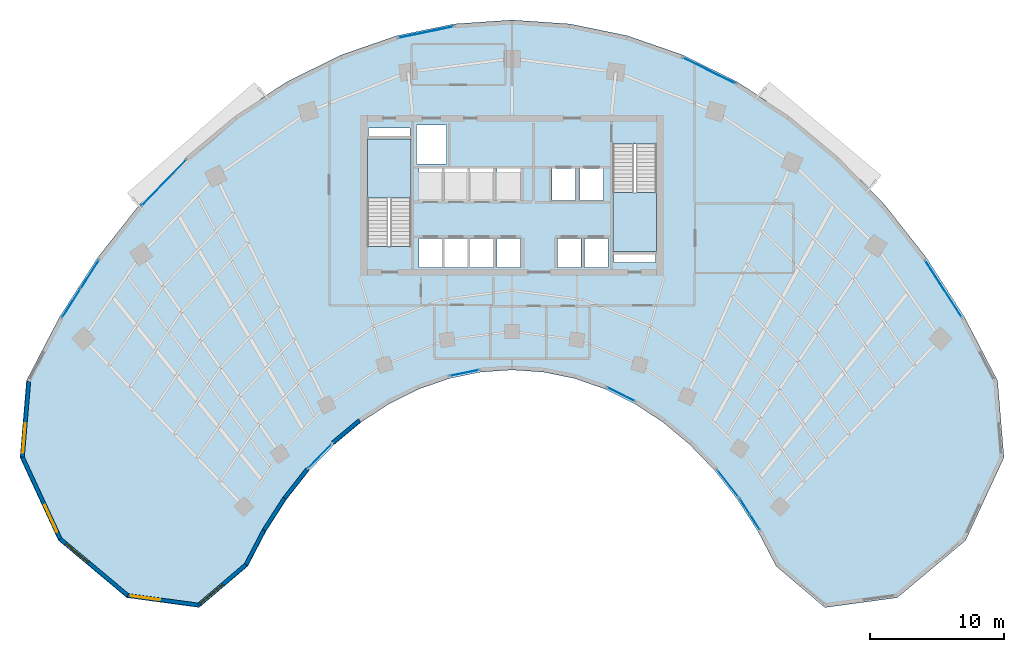
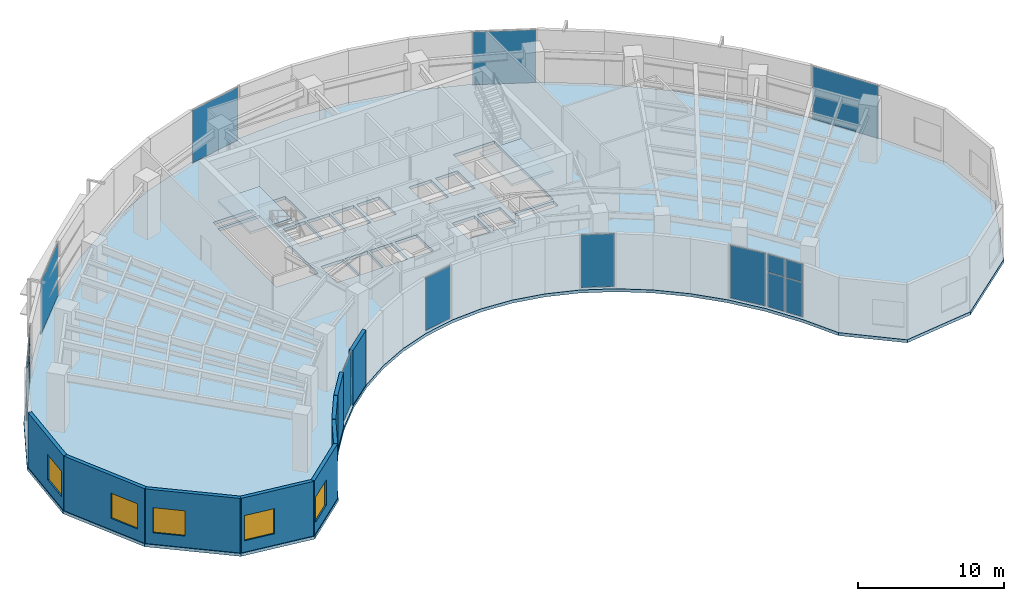
# One storey, part 7 of 15: 16 plates, 9 walls, 5 windows, 3 slabs, 5 openings, 12 elements without a shape of their own.
"""IFC4 building model written with IfcOpenShell, lengths in metres."""

from ifc_helpers import new_model, si_unit, direction, frame, frame_2d, origin, origin_2d, place, context, subcontext, project, spatial, polyline, rectangle, outline, extrude, source, transform, mapped, material, layer, layer_set, type_object, type_shapes, element, fill, aggregate, save


model = new_model("IFC4")

# Units and contexts
model_context = context("Model", 3, precision=1e-05, world=origin(), true_north=direction((0.0, 1.0)))
body_context = subcontext(model_context, "Body", "Model", "MODEL_VIEW")
ifc_project = project(units=[si_unit("LENGTHUNIT", "METRE"), si_unit("AREAUNIT", "SQUARE_METRE"), si_unit("VOLUMEUNIT", "CUBIC_METRE"), si_unit("PLANEANGLEUNIT", "RADIAN"), si_unit("MASSUNIT", "GRAM", prefix="KILO")], contexts=[model_context])

# Site, building, storey
site_placement = place(None, origin())
site = spatial("IfcSite", under=ifc_project, at=site_placement, CompositionType="ELEMENT")
building_placement = place(site_placement, origin())
building = spatial("IfcBuilding", under=site, at=building_placement, Name="Breltana Convention Tower", CompositionType="ELEMENT")
storey_placement = place(building_placement, frame((0.0, 0.0, 91.199951171875)))
storey = spatial("IfcBuildingStorey", under=building, at=storey_placement, Name="L21", CompositionType="ELEMENT", Elevation=91.199951171875)

# Slab
ifc_material_1 = material(Name="Concrete C40/50", Category="concrete")
ifc_layer_1 = layer(ifc_material_1, 0.25, Name="Concrete C40/50")
ifc_layer_set_1 = layer_set([ifc_layer_1], Name="Concrete C40/50")
slab_type_1 = type_object("IfcSlabType", Name="SL-OFF-250", PredefinedType="FLOOR", material=ifc_layer_set_1)
slab_1_placement = place(storey_placement, frame((0.0, 0.0, -0.25)))
element("IfcSlab", 1, at=slab_1_placement, inside=storey, type_object=slab_type_1, Name="L21 Suspended Structural Floor Slab", PredefinedType="FLOOR", context=body_context, shape_type="SweptSolid", body=[
    extrude(outline(polyline([(84.254150390625, 52.3564453125), (81.779052734375, 57.1103515625), (78.958251953125, 61.5048828125), (75.820556640625, 65.494873046875), (72.39794921875, 69.03955078125), (68.7255859375, 72.1025390625), (64.841064453125, 74.652587890625), (60.783935546875, 76.663818359375), (56.59619140625, 78.114990234375), (52.3203125, 78.99169921875), (48.0, 79.284912109375), (43.6796875, 78.99169921875), (39.40380859375, 78.114990234375), (35.216064453125, 76.663818359375), (31.158935546875, 74.652587890625), (27.2744140625, 72.1025390625), (23.60205078125, 69.03955078125), (20.179443359375, 65.494873046875), (17.041748046875, 61.5048828125), (14.220947265625, 57.1103515625), (11.745849609375, 52.3564453125), (11.266357421875, 46.619384765625), (14.128173828125, 40.42919921875), (19.23828125, 36.150146484375), (24.64501953125, 35.4169921875), (28.282958984375, 38.509521484375), (29.62890625, 41.09521484375), (31.1630859375, 43.485107421875), (32.869384765625, 45.655029296875), (34.73095703125, 47.5830078125), (36.728271484375, 49.248779296875), (38.8408203125, 50.6357421875), (41.04736328125, 51.7294921875), (43.324951171875, 52.518798828125), (45.650390625, 52.99560546875), (48.0, 53.155029296875), (50.349609375, 52.99560546875), (52.675048828125, 52.518798828125), (54.95263671875, 51.7294921875), (57.1591796875, 50.6357421875), (59.271728515625, 49.248779296875), (61.26904296875, 47.5830078125), (63.130615234375, 45.655029296875), (64.8369140625, 43.485107421875), (66.37109375, 41.09521484375), (67.717041015625, 38.509521484375), (71.35498046875, 35.4169921875), (76.76171875, 36.150146484375), (81.871826171875, 40.42919921875), (84.733642578125, 46.619384765625), (84.254150390625, 52.3564453125)]), holes=[polyline([(37.199951171875, 62.385009765625), (40.469970703125, 62.385009765625), (40.469970703125, 70.39990234375), (37.199951171875, 70.39990234375), (37.199951171875, 62.385009765625)]), polyline([(55.530029296875, 62.0), (58.800048828125, 62.0), (58.800048828125, 70.014892578125), (55.530029296875, 70.014892578125), (55.530029296875, 62.0)]), polyline([(41.0400390625, 60.800048828125), (42.800048828125, 60.800048828125), (42.800048828125, 62.97998046875), (41.0400390625, 62.97998046875), (41.0400390625, 60.800048828125)]), polyline([(42.93994140625, 60.800048828125), (44.699951171875, 60.800048828125), (44.699951171875, 62.97998046875), (42.93994140625, 62.97998046875), (42.93994140625, 60.800048828125)]), polyline([(44.8701171875, 60.800048828125), (46.6298828125, 60.800048828125), (46.6298828125, 62.97998046875), (44.8701171875, 62.97998046875), (44.8701171875, 60.800048828125)]), polyline([(46.8701171875, 60.800048828125), (48.6298828125, 60.800048828125), (48.6298828125, 62.97998046875), (46.8701171875, 62.97998046875), (46.8701171875, 60.800048828125)]), polyline([(51.39990234375, 60.800048828125), (53.159912109375, 60.800048828125), (53.159912109375, 62.97998046875), (51.39990234375, 62.97998046875), (51.39990234375, 60.800048828125)]), polyline([(53.39990234375, 60.800048828125), (55.159912109375, 60.800048828125), (55.159912109375, 62.97998046875), (53.39990234375, 62.97998046875), (53.39990234375, 60.800048828125)]), polyline([(41.0400390625, 65.820068359375), (42.800048828125, 65.820068359375), (42.800048828125, 68.179931640625), (41.0400390625, 68.179931640625), (41.0400390625, 65.820068359375)]), polyline([(42.93994140625, 65.820068359375), (44.699951171875, 65.820068359375), (44.699951171875, 68.179931640625), (42.93994140625, 68.179931640625), (42.93994140625, 65.820068359375)]), polyline([(44.8701171875, 65.820068359375), (46.6298828125, 65.820068359375), (46.6298828125, 68.179931640625), (44.8701171875, 68.179931640625), (44.8701171875, 65.820068359375)]), polyline([(46.8701171875, 65.820068359375), (48.6298828125, 65.820068359375), (48.6298828125, 68.179931640625), (46.8701171875, 68.179931640625), (46.8701171875, 65.820068359375)]), polyline([(50.969970703125, 65.800048828125), (52.72998046875, 65.800048828125), (52.72998046875, 68.179931640625), (50.969970703125, 68.179931640625), (50.969970703125, 65.800048828125)]), polyline([(53.070068359375, 65.800048828125), (54.830078125, 65.800048828125), (54.830078125, 68.179931640625), (53.070068359375, 68.179931640625), (53.070068359375, 65.800048828125)]), polyline([(40.8798828125, 68.550048828125), (43.1201171875, 68.550048828125), (43.1201171875, 71.449951171875), (40.8798828125, 71.449951171875), (40.8798828125, 68.550048828125)]), polyline([(37.300048828125, 70.60009765625), (40.3798828125, 70.60009765625), (40.3798828125, 71.219970703125), (37.300048828125, 71.219970703125), (37.300048828125, 70.60009765625)]), polyline([(55.6201171875, 61.179931640625), (58.699951171875, 61.179931640625), (58.699951171875, 61.800048828125), (55.6201171875, 61.800048828125), (55.6201171875, 61.179931640625)])]), origin(), (0.0, 0.0, 1.0), 0.25),
])

# Stair, slab
stair_type = type_object("IfcStairType", Name="ST-DOG-1560-R171", PredefinedType="HALF_TURN_STAIR", material=ifc_material_1)
stair_1_placement = place(storey_placement, origin())
stair_1 = element("IfcStair", 2, at=stair_1_placement, inside=storey, type_object=stair_type, Name="L21 Protected Core Exit Stair ST-1", PredefinedType="HALF_TURN_STAIR")
ifc_layer_2 = layer(ifc_material_1, 0.199951171875, Name="Concrete C40/50")
ifc_layer_set_2 = layer_set([ifc_layer_2], Name="Concrete C40/50")
slab_type_2 = type_object("IfcSlabType", Name="SL-STAIR-LANDING-200", PredefinedType="LANDING", material=ifc_layer_set_2)
slab_2_placement = place(storey_placement, frame((0.0, 0.0, 2.199951171875)))
slab_2 = element("IfcSlab", 3, at=slab_2_placement, type_object=slab_type_2, Name="ST-1 landing 1", PredefinedType="LANDING", context=body_context, shape_type="SweptSolid", body=[
    extrude(outline(polyline([(40.469970703125, 66.0), (40.469970703125, 70.39990234375), (37.199951171875, 70.39990234375), (37.199951171875, 66.0), (40.469970703125, 66.0)])), origin(), (0.0, 0.0, 1.0), 0.2001953125),
])
aggregate(stair_1, [slab_2])

stair_2_placement = place(storey_placement, origin())
stair_2 = element("IfcStair", 4, at=stair_2_placement, inside=storey, type_object=stair_type, Name="L21 Protected Core Exit Stair ST-2", PredefinedType="HALF_TURN_STAIR")
slab_3_placement = place(storey_placement, frame((0.0, 0.0, 2.199951171875)))
slab_3 = element("IfcSlab", 5, at=slab_3_placement, type_object=slab_type_2, Name="ST-2 landing 1", PredefinedType="LANDING", context=body_context, shape_type="SweptSolid", body=[
    extrude(outline(polyline([(55.530029296875, 66.39990234375), (55.530029296875, 62.0), (58.800048828125, 62.0), (58.800048828125, 66.39990234375), (55.530029296875, 66.39990234375)])), origin(), (0.0, 0.0, 1.0), 0.2001953125),
])
aggregate(stair_2, [slab_3])

# Curtain wall, plates
ifc_material_2 = material(Name="Aluminium Anodised Bronze Frame", Category="aluminium")
ifc_layer_3 = layer(ifc_material_2, 0.18994140625, Name="Aluminium Anodised Bronze Frame")
ifc_layer_set_3 = layer_set([ifc_layer_3], Name="Aluminium Anodised Bronze Frame")
curtain_wall_type_1 = type_object("IfcCurtainWallType", Name="CW-SYS-1", PredefinedType="NOTDEFINED", material=ifc_layer_set_3)
curtain_wall_1_placement = place(storey_placement, origin())
curtain_wall_1 = element("IfcCurtainWall", 6, at=curtain_wall_1_placement, inside=storey, type_object=curtain_wall_type_1, Name="L21 inner south-court glazing 1", PredefinedType="NOTDEFINED")
ifc_material_3 = material(Name="Glass Low-E Double Glazing", Category="glass")
ifc_layer_4 = layer(ifc_material_3, 0.028076171875, Name="Glass Low-E Double Glazing")
ifc_layer_set_4 = layer_set([ifc_layer_4], Name="Glass Low-E Double Glazing")
plate_type_1 = type_object("IfcPlateType", Name="CWP-IGU-28", PredefinedType="CURTAIN_PANEL", material=ifc_layer_set_4)
shared_shape_1 = source(origin(), body_context, "Body", "SweptSolid", [
    extrude(rectangle(XDim=1.300048828125, YDim=0.028076171875, at=origin_2d()), origin(), (0.0, 0.0, 1.0), 2.83740234375),
])
plate_1_placement = place(storey_placement, frame((66.128173828125, 41.806640625, 0.080078125), z_axis=(0.0, 0.0, 1.0), x_axis=(-0.5401773017, 0.841551235949, 0.0)))
plate_1 = element("IfcPlate", 7, at=plate_1_placement, type_object=plate_type_1, Name="CW-01 panel 1.1", PredefinedType="CURTAIN_PANEL", context=body_context, shape_type="MappedRepresentation", body=[
    mapped(shared_shape_1, transform((0.0, 0.0, 0.0), scale=1.0)),
])
plate_2_placement = place(storey_placement, frame((65.3828125, 42.968017578125, 0.080078125), z_axis=(0.0, 0.0, 1.0), x_axis=(-0.5401773017, 0.841551235949, 0.0)))
plate_2 = element("IfcPlate", 8, at=plate_2_placement, type_object=plate_type_1, Name="CW-01 panel 2.1", PredefinedType="CURTAIN_PANEL", context=body_context, shape_type="MappedRepresentation", body=[
    mapped(shared_shape_1, transform((0.0, 0.0, 0.0), scale=1.0)),
])
shared_shape_2 = source(origin(), body_context, "Body", "SweptSolid", [
    extrude(rectangle(XDim=1.300048828125, YDim=0.028076171875, at=origin_2d()), origin(), (0.0, 0.0, 1.0), 1.472412109375),
])
plate_3_placement = place(storey_placement, frame((66.128173828125, 41.806640625, 2.99755859375), z_axis=(0.0, 0.0, 1.0), x_axis=(-0.5401773017, 0.841551235949, 0.0)))
plate_3 = element("IfcPlate", 9, at=plate_3_placement, type_object=plate_type_1, Name="CW-01 panel 1.2", PredefinedType="CURTAIN_PANEL", context=body_context, shape_type="MappedRepresentation", body=[
    mapped(shared_shape_2, transform((0.0, 0.0, 0.0), scale=1.0)),
])
plate_4_placement = place(storey_placement, frame((65.3828125, 42.968017578125, 2.99755859375), z_axis=(0.0, 0.0, 1.0), x_axis=(-0.5401773017, 0.841551235949, 0.0)))
plate_4 = element("IfcPlate", 10, at=plate_4_placement, type_object=plate_type_1, Name="CW-01 panel 2.2", PredefinedType="CURTAIN_PANEL", context=body_context, shape_type="MappedRepresentation", body=[
    mapped(shared_shape_2, transform((0.0, 0.0, 0.0), scale=1.0)),
])
aggregate(curtain_wall_1, [plate_1, plate_3, plate_2, plate_4])

# Curtain wall, plate
curtain_wall_2_placement = place(storey_placement, origin())
curtain_wall_2 = element("IfcCurtainWall", 11, at=curtain_wall_2_placement, inside=storey, type_object=curtain_wall_type_1, Name="L21 inner south-court glazing 2", PredefinedType="NOTDEFINED")
shared_shape_3 = source(origin(), body_context, "Body", "SweptSolid", [
    extrude(rectangle(XDim=2.6005859375, YDim=0.028076171875, at=origin_2d()), origin(), (0.0, 0.0, 1.0), 4.389892578125),
])
plate_5_placement = place(storey_placement, frame((64.125244140625, 44.681396484375, 0.080078125), z_axis=(0.0, 0.0, 1.0), x_axis=(-0.61815745037, 0.786054302547, 0.0)))
plate_5 = element("IfcPlate", 12, at=plate_5_placement, type_object=plate_type_1, Name="CW-01 panel 1.1", PredefinedType="CURTAIN_PANEL", context=body_context, shape_type="MappedRepresentation", body=[
    mapped(shared_shape_3, transform((0.0, 0.0, 0.0), scale=1.0)),
])
aggregate(curtain_wall_2, [plate_5])

curtain_wall_3_placement = place(storey_placement, origin())
curtain_wall_3 = element("IfcCurtainWall", 13, at=curtain_wall_3_placement, inside=storey, type_object=curtain_wall_type_1, Name="L21 inner south-court glazing 3", PredefinedType="NOTDEFINED")
shared_shape_4 = source(origin(), body_context, "Body", "SweptSolid", [
    extrude(rectangle(XDim=2.302490234375, YDim=0.028076171875, at=origin_2d()), origin(), (0.0, 0.0, 1.0), 4.389892578125),
])
plate_6_placement = place(storey_placement, frame((56.1357421875, 51.34375, 0.080078125), z_axis=(0.0, 0.0, 1.0), x_axis=(-0.895964953495, 0.444124759622, 0.0)))
plate_6 = element("IfcPlate", 14, at=plate_6_placement, type_object=plate_type_1, Name="CW-01 panel 1.1", PredefinedType="CURTAIN_PANEL", context=body_context, shape_type="MappedRepresentation", body=[
    mapped(shared_shape_4, transform((0.0, 0.0, 0.0), scale=1.0)),
])
aggregate(curtain_wall_3, [plate_6])

curtain_wall_4_placement = place(storey_placement, origin())
curtain_wall_4 = element("IfcCurtainWall", 15, at=curtain_wall_4_placement, inside=storey, type_object=curtain_wall_type_1, Name="L21 inner south-court glazing 4", PredefinedType="NOTDEFINED")
shared_shape_5 = source(origin(), body_context, "Body", "SweptSolid", [
    extrude(rectangle(XDim=2.2138671875, YDim=0.028076171875, at=origin_2d()), origin(), (0.0, 0.0, 1.0), 4.389892578125),
])
plate_7_placement = place(storey_placement, frame((44.451416015625, 52.933349609375, 0.080078125), z_axis=(0.0, 0.0, 1.0), x_axis=(-0.979621406891, -0.200852929183, 0.0)))
plate_7 = element("IfcPlate", 16, at=plate_7_placement, type_object=plate_type_1, Name="CW-01 panel 1.1", PredefinedType="CURTAIN_PANEL", context=body_context, shape_type="MappedRepresentation", body=[
    mapped(shared_shape_5, transform((0.0, 0.0, 0.0), scale=1.0)),
])
aggregate(curtain_wall_4, [plate_7])

curtain_wall_5_placement = place(storey_placement, origin())
curtain_wall_5 = element("IfcCurtainWall", 17, at=curtain_wall_5_placement, inside=storey, type_object=curtain_wall_type_1, Name="L21 inner south-court glazing 5", PredefinedType="NOTDEFINED")
shared_shape_6 = source(origin(), body_context, "Body", "SweptSolid", [
    extrude(rectangle(XDim=2.519775390625, YDim=0.028076171875, at=origin_2d()), origin(), (0.0, 0.0, 1.0), 4.389892578125),
])
plate_8_placement = place(storey_placement, frame((33.670654296875, 46.743896484375, 0.080078125), z_axis=(0.0, 0.0, 1.0), x_axis=(-0.694609164589, -0.719387314642, 0.0)))
plate_8 = element("IfcPlate", 18, at=plate_8_placement, type_object=plate_type_1, Name="CW-01 panel 1.1", PredefinedType="CURTAIN_PANEL", context=body_context, shape_type="MappedRepresentation", body=[
    mapped(shared_shape_6, transform((0.0, 0.0, 0.0), scale=1.0)),
])
aggregate(curtain_wall_5, [plate_8])

# Curtain wall, plates
ifc_layer_5 = layer(ifc_material_2, 0.239990234375, Name="Aluminium Anodised Bronze Frame")
ifc_layer_set_5 = layer_set([ifc_layer_5], Name="Aluminium Anodised Bronze Frame")
curtain_wall_type_2 = type_object("IfcCurtainWallType", Name="CW-SYS-6", PredefinedType="NOTDEFINED", material=ifc_layer_set_5)
curtain_wall_6_placement = place(storey_placement, origin())
curtain_wall_6 = element("IfcCurtainWall", 19, at=curtain_wall_6_placement, inside=storey, type_object=curtain_wall_type_2, Name="L21 outer double-skin inner glazing 1", PredefinedType="NOTDEFINED")
ifc_layer_6 = layer(ifc_material_3, 0.035888671875, Name="Glass Low-E Double Glazing")
ifc_layer_set_6 = layer_set([ifc_layer_6], Name="Glass Low-E Double Glazing")
plate_type_2 = type_object("IfcPlateType", Name="CWP-IGU-36", PredefinedType="CURTAIN_PANEL", material=ifc_layer_set_6)
shared_shape_7 = source(origin(), body_context, "Body", "SweptSolid", [
    extrude(rectangle(XDim=2.482666015625, YDim=0.035888671875, at=origin_2d()), origin(), (0.0, 0.0, 1.0), 2.83740234375),
])
plate_9_placement = place(storey_placement, frame((15.090576171875, 58.1318359375, 0.080078125), z_axis=(0.0, 0.0, 1.0), x_axis=(0.540176809834, 0.84155155167, 0.0)))
plate_9 = element("IfcPlate", 20, at=plate_9_placement, type_object=plate_type_2, Name="CW-06 panel 1.1", PredefinedType="CURTAIN_PANEL", context=body_context, shape_type="MappedRepresentation", body=[
    mapped(shared_shape_7, transform((0.0, 0.0, 0.0), scale=1.0)),
])
plate_10_placement = place(storey_placement, frame((16.474853515625, 60.28857421875, 0.080078125), z_axis=(0.0, 0.0, 1.0), x_axis=(0.540176809834, 0.84155155167, 0.0)))
plate_10 = element("IfcPlate", 21, at=plate_10_placement, type_object=plate_type_2, Name="CW-06 panel 2.1", PredefinedType="CURTAIN_PANEL", context=body_context, shape_type="MappedRepresentation", body=[
    mapped(shared_shape_7, transform((0.0, 0.0, 0.0), scale=1.0)),
])
shared_shape_8 = source(origin(), body_context, "Body", "SweptSolid", [
    extrude(rectangle(XDim=2.482666015625, YDim=0.035888671875, at=origin_2d()), origin(), (0.0, 0.0, 1.0), 1.472412109375),
])
plate_11_placement = place(storey_placement, frame((15.090576171875, 58.1318359375, 2.99755859375), z_axis=(0.0, 0.0, 1.0), x_axis=(0.540176809834, 0.84155155167, 0.0)))
plate_11 = element("IfcPlate", 22, at=plate_11_placement, type_object=plate_type_2, Name="CW-06 panel 1.2", PredefinedType="CURTAIN_PANEL", context=body_context, shape_type="MappedRepresentation", body=[
    mapped(shared_shape_8, transform((0.0, 0.0, 0.0), scale=1.0)),
])
plate_12_placement = place(storey_placement, frame((16.474853515625, 60.28857421875, 2.99755859375), z_axis=(0.0, 0.0, 1.0), x_axis=(0.540176809834, 0.84155155167, 0.0)))
plate_12 = element("IfcPlate", 23, at=plate_12_placement, type_object=plate_type_2, Name="CW-06 panel 2.2", PredefinedType="CURTAIN_PANEL", context=body_context, shape_type="MappedRepresentation", body=[
    mapped(shared_shape_8, transform((0.0, 0.0, 0.0), scale=1.0)),
])
aggregate(curtain_wall_6, [plate_9, plate_11, plate_10, plate_12])

# Curtain wall, plate
curtain_wall_7_placement = place(storey_placement, origin())
curtain_wall_7 = element("IfcCurtainWall", 24, at=curtain_wall_7_placement, inside=storey, type_object=curtain_wall_type_2, Name="L21 outer double-skin inner glazing 2", PredefinedType="NOTDEFINED")
shared_shape_9 = source(origin(), body_context, "Body", "SweptSolid", [
    extrude(rectangle(XDim=4.74853515625, YDim=0.035888671875, at=origin_2d()), origin(), (0.0, 0.0, 1.0), 4.389892578125),
])
plate_13_placement = place(storey_placement, frame((22.02001953125, 67.141845703125, 0.080078125), z_axis=(0.0, 0.0, 1.0), x_axis=(0.694611601605, 0.719384961558, 0.0)))
plate_13 = element("IfcPlate", 25, at=plate_13_placement, type_object=plate_type_2, Name="CW-06 panel 1.1", PredefinedType="CURTAIN_PANEL", context=body_context, shape_type="MappedRepresentation", body=[
    mapped(shared_shape_9, transform((0.0, 0.0, 0.0), scale=1.0)),
])
aggregate(curtain_wall_7, [plate_13])

curtain_wall_8_placement = place(storey_placement, origin())
curtain_wall_8 = element("IfcCurtainWall", 26, at=curtain_wall_8_placement, inside=storey, type_object=curtain_wall_type_2, Name="L21 outer double-skin inner glazing 3", PredefinedType="NOTDEFINED")
shared_shape_10 = source(origin(), body_context, "Body", "SweptSolid", [
    extrude(rectangle(XDim=4.180908203125, YDim=0.035888671875, at=origin_2d()), origin(), (0.0, 0.0, 1.0), 4.389892578125),
])
plate_14_placement = place(storey_placement, frame((41.577880859375, 78.376953125, 0.080078125), z_axis=(0.0, 0.0, 1.0), x_axis=(0.979620254346, 0.200858550415, 0.0)))
plate_14 = element("IfcPlate", 27, at=plate_14_placement, type_object=plate_type_2, Name="CW-06 panel 1.1", PredefinedType="CURTAIN_PANEL", context=body_context, shape_type="MappedRepresentation", body=[
    mapped(shared_shape_10, transform((0.0, 0.0, 0.0), scale=1.0)),
])
aggregate(curtain_wall_8, [plate_14])

curtain_wall_9_placement = place(storey_placement, origin())
curtain_wall_9 = element("IfcCurtainWall", 28, at=curtain_wall_9_placement, inside=storey, type_object=curtain_wall_type_2, Name="L21 outer double-skin inner glazing 4", PredefinedType="NOTDEFINED")
shared_shape_11 = source(origin(), body_context, "Body", "SweptSolid", [
    extrude(rectangle(XDim=4.345703125, YDim=0.035888671875, at=origin_2d()), origin(), (0.0, 0.0, 1.0), 4.389892578125),
])
plate_15_placement = place(storey_placement, frame((62.73291015625, 75.496826171875, 0.080078125), z_axis=(0.0, 0.0, 1.0), x_axis=(0.895966548937, -0.444121541007, 0.0)))
plate_15 = element("IfcPlate", 29, at=plate_15_placement, type_object=plate_type_2, Name="CW-06 panel 1.1", PredefinedType="CURTAIN_PANEL", context=body_context, shape_type="MappedRepresentation", body=[
    mapped(shared_shape_11, transform((0.0, 0.0, 0.0), scale=1.0)),
])
aggregate(curtain_wall_9, [plate_15])

curtain_wall_10_placement = place(storey_placement, origin())
curtain_wall_10 = element("IfcCurtainWall", 30, at=curtain_wall_10_placement, inside=storey, type_object=curtain_wall_type_2, Name="L21 outer double-skin inner glazing 5", PredefinedType="NOTDEFINED")
shared_shape_12 = source(origin(), body_context, "Body", "SweptSolid", [
    extrude(rectangle(XDim=5.045166015625, YDim=0.035888671875, at=origin_2d()), origin(), (0.0, 0.0, 1.0), 4.389892578125),
])
plate_16_placement = place(storey_placement, frame((80.21728515625, 59.210205078125, 0.080078125), z_axis=(0.0, 0.0, 1.0), x_axis=(0.540176809834, -0.84155155167, 0.0)))
plate_16 = element("IfcPlate", 31, at=plate_16_placement, type_object=plate_type_2, Name="CW-06 panel 1.1", PredefinedType="CURTAIN_PANEL", context=body_context, shape_type="MappedRepresentation", body=[
    mapped(shared_shape_12, transform((0.0, 0.0, 0.0), scale=1.0)),
])
aggregate(curtain_wall_10, [plate_16])

# Wall, opening, window
ifc_material_4 = material(Name="Limestone Buff Insulated Wall", Category="masonry")
ifc_layer_7 = layer(ifc_material_4, 0.280029296875, Name="Limestone Buff Insulated Wall")
ifc_layer_set_7 = layer_set([ifc_layer_7], Name="Limestone Buff Insulated Wall")
wall_type = type_object("IfcWallType", Name="WL-EXT-NOSE-280", PredefinedType="SOLIDWALL", material=ifc_layer_set_7)
shared_shape_13 = source(origin(), body_context, "Body", "SweptSolid", [
    extrude(rectangle(XDim=5.673583984375, YDim=0.280029296875, at=frame_2d((2.8369140625, 0.0))), origin(), (0.0, 0.0, 1.0), 4.550048828125),
])
wall_1_placement = place(storey_placement, frame((11.44970703125, 46.651611328125, 0.0), z_axis=(0.0, 0.0, 1.0), x_axis=(0.083309007867, 0.996523762491, 0.0)))
wall_1 = element("IfcWall", 32, at=wall_1_placement, inside=storey, type_object=wall_type, Name="L21 curved limestone nose wall W6", PredefinedType="SOLIDWALL", context=body_context, shape_type="MappedRepresentation", body=[
    mapped(shared_shape_13, transform((0.0, 0.0, 0.0), scale=1.0)),
])
opening_1_placement = place(wall_1_placement, frame((0.318359375, 0.0, 0.949951171875)))
opening_1 = element("IfcOpeningElement", 33, at=opening_1_placement, cuts=wall_1, Name="Opening W-03", PredefinedType="OPENING", context=body_context, shape_type="SweptSolid", body=[
    extrude(rectangle(XDim=2.199951171875, YDim=2.10009765625, at=frame_2d((1.10009765625, 1.050048828125))), frame((0.0, 0.14990234375, 0.0), z_axis=(0.0, -1.0, 0.0), x_axis=(1.0, 0.0, 0.0)), (0.0, 0.0, 1.0), 0.300048828125),
])
ifc_material_5 = material(Name="Glass Low-E Insulated Window", Category="glass")
window_type = type_object("IfcWindowType", Name="WN-NOSE-2200X2100", PartitioningType="TRIPLE_PANEL_VERTICAL", PredefinedType="WINDOW", material=ifc_material_5)
shared_shape_14 = source(origin(), body_context, "Body", "SweptSolid", [
    extrude(rectangle(XDim=2.199951171875, YDim=2.10009765625, at=frame_2d((1.10009765625, 1.050048828125))), frame((0.0, 0.030029296875, 0.0), z_axis=(0.0, -1.0, 0.0), x_axis=(1.0, 0.0, 0.0)), (0.0, 0.0, 1.0), 0.06005859375),
])
type_shapes(window_type, [shared_shape_14])
window_1_placement = place(opening_1_placement, origin())
window_1 = element("IfcWindow", 34, at=window_1_placement, inside=storey, type_object=window_type, Name="L21 nose window W6", OverallHeight=2.10009765625, OverallWidth=2.199951171875, PartitioningType="TRIPLE_PANEL_VERTICAL", PredefinedType="WINDOW", context=body_context, shape_type="MappedRepresentation", body=[
    mapped(shared_shape_14, transform((0.0, 0.0, 0.0), scale=1.0)),
])
fill(opening_1, window_1)

shared_shape_15 = source(origin(), body_context, "Body", "SweptSolid", [
    extrude(rectangle(XDim=6.731689453125, YDim=0.280029296875, at=frame_2d((3.36572265625, 0.0))), origin(), (0.0, 0.0, 1.0), 4.550048828125),
])
wall_2_placement = place(storey_placement, frame((14.274658203125, 40.541259765625, 0.0), z_axis=(0.0, 0.0, 1.0), x_axis=(-0.419644552709, 0.907688520023, 0.0)))
wall_2 = element("IfcWall", 35, at=wall_2_placement, inside=storey, type_object=wall_type, Name="L21 curved limestone nose wall W5", PredefinedType="SOLIDWALL", context=body_context, shape_type="MappedRepresentation", body=[
    mapped(shared_shape_15, transform((0.0, 0.0, 0.0), scale=1.0)),
])
opening_2_placement = place(wall_2_placement, frame((0.5830078125, 0.0, 0.949951171875)))
opening_2 = element("IfcOpeningElement", 36, at=opening_2_placement, cuts=wall_2, Name="Opening W-03", PredefinedType="OPENING", context=body_context, shape_type="SweptSolid", body=[
    extrude(rectangle(XDim=2.199951171875, YDim=2.10009765625, at=frame_2d((1.10009765625, 1.050048828125))), frame((0.0, 0.14990234375, 0.0), z_axis=(0.0, -1.0, 0.0), x_axis=(1.0, 0.0, 0.0)), (0.0, 0.0, 1.0), 0.300048828125),
])
window_2_placement = place(opening_2_placement, origin())
window_2 = element("IfcWindow", 37, at=window_2_placement, inside=storey, type_object=window_type, Name="L21 nose window W5", OverallHeight=2.10009765625, OverallWidth=2.199951171875, PartitioningType="TRIPLE_PANEL_VERTICAL", PredefinedType="WINDOW", context=body_context, shape_type="MappedRepresentation", body=[
    mapped(shared_shape_14, transform((0.0, 0.0, 0.0), scale=1.0)),
])
fill(opening_2, window_2)

shared_shape_16 = source(origin(), body_context, "Body", "SweptSolid", [
    extrude(rectangle(XDim=6.572998046875, YDim=0.280029296875, at=frame_2d((3.28662109375, 0.0))), origin(), (0.0, 0.0, 1.0), 4.550048828125),
])
wall_3_placement = place(storey_placement, frame((19.314208984375, 36.321533203125, 0.0), z_axis=(0.0, 0.0, 1.0), x_axis=(-0.766715154163, 0.641987439423, 0.0)))
wall_3 = element("IfcWall", 38, at=wall_3_placement, inside=storey, type_object=wall_type, Name="L21 curved limestone nose wall W4", PredefinedType="SOLIDWALL", context=body_context, shape_type="MappedRepresentation", body=[
    mapped(shared_shape_16, transform((0.0, 0.0, 0.0), scale=1.0)),
])
opening_3_placement = place(wall_3_placement, frame((3.82958984375, 0.0, 0.949951171875)))
opening_3 = element("IfcOpeningElement", 39, at=opening_3_placement, cuts=wall_3, Name="Opening W-03", PredefinedType="OPENING", context=body_context, shape_type="SweptSolid", body=[
    extrude(rectangle(XDim=2.199951171875, YDim=2.10009765625, at=frame_2d((1.10009765625, 1.050048828125))), frame((0.0, 0.14990234375, 0.0), z_axis=(0.0, -1.0, 0.0), x_axis=(1.0, 0.0, 0.0)), (0.0, 0.0, 1.0), 0.300048828125),
])
window_3_placement = place(opening_3_placement, origin())
window_3 = element("IfcWindow", 40, at=window_3_placement, inside=storey, type_object=window_type, Name="L21 nose window W4", OverallHeight=2.10009765625, OverallWidth=2.199951171875, PartitioningType="TRIPLE_PANEL_VERTICAL", PredefinedType="WINDOW", context=body_context, shape_type="MappedRepresentation", body=[
    mapped(shared_shape_14, transform((0.0, 0.0, 0.0), scale=1.0)),
])
fill(opening_3, window_3)

shared_shape_17 = source(origin(), body_context, "Body", "SweptSolid", [
    extrude(rectangle(XDim=5.32373046875, YDim=0.280029296875, at=frame_2d((2.661865234375, 0.0))), origin(), (0.0, 0.0, 1.0), 4.550048828125),
])
wall_4_placement = place(storey_placement, frame((24.589599609375, 35.606201171875, 0.0), z_axis=(0.0, 0.0, 1.0), x_axis=(-0.990931467223, 0.134368252451, 0.0)))
wall_4 = element("IfcWall", 41, at=wall_4_placement, inside=storey, type_object=wall_type, Name="L21 curved limestone nose wall W3", PredefinedType="SOLIDWALL", context=body_context, shape_type="MappedRepresentation", body=[
    mapped(shared_shape_17, transform((0.0, 0.0, 0.0), scale=1.0)),
])
opening_4_placement = place(wall_4_placement, frame((2.892822265625, 0.0, 0.949951171875)))
opening_4 = element("IfcOpeningElement", 42, at=opening_4_placement, cuts=wall_4, Name="Opening W-03", PredefinedType="OPENING", context=body_context, shape_type="SweptSolid", body=[
    extrude(rectangle(XDim=2.199951171875, YDim=2.10009765625, at=frame_2d((1.10009765625, 1.050048828125))), frame((0.0, 0.14990234375, 0.0), z_axis=(0.0, -1.0, 0.0), x_axis=(1.0, 0.0, 0.0)), (0.0, 0.0, 1.0), 0.300048828125),
])
window_4_placement = place(opening_4_placement, origin())
window_4 = element("IfcWindow", 43, at=window_4_placement, inside=storey, type_object=window_type, Name="L21 nose window W3", OverallHeight=2.10009765625, OverallWidth=2.199951171875, PartitioningType="TRIPLE_PANEL_VERTICAL", PredefinedType="WINDOW", context=body_context, shape_type="MappedRepresentation", body=[
    mapped(shared_shape_14, transform((0.0, 0.0, 0.0), scale=1.0)),
])
fill(opening_4, window_4)

shared_shape_18 = source(origin(), body_context, "Body", "SweptSolid", [
    extrude(rectangle(XDim=4.6591796875, YDim=0.280029296875, at=frame_2d((2.32958984375, 0.0))), origin(), (0.0, 0.0, 1.0), 4.550048828125),
])
wall_5_placement = place(storey_placement, frame((28.139404296875, 38.623779296875, 0.0), z_axis=(0.0, 0.0, 1.0), x_axis=(-0.761913458795, -0.647678841176, 0.0)))
wall_5 = element("IfcWall", 44, at=wall_5_placement, inside=storey, type_object=wall_type, Name="L21 curved limestone nose wall W2", PredefinedType="SOLIDWALL", context=body_context, shape_type="MappedRepresentation", body=[
    mapped(shared_shape_18, transform((0.0, 0.0, 0.0), scale=1.0)),
])
opening_5_placement = place(wall_5_placement, frame((2.29931640625, 0.0, 0.949951171875)))
opening_5 = element("IfcOpeningElement", 45, at=opening_5_placement, cuts=wall_5, Name="Opening W-03", PredefinedType="OPENING", context=body_context, shape_type="SweptSolid", body=[
    extrude(rectangle(XDim=2.199951171875, YDim=2.10009765625, at=frame_2d((1.10009765625, 1.050048828125))), frame((0.0, 0.14990234375, 0.0), z_axis=(0.0, -1.0, 0.0), x_axis=(1.0, 0.0, 0.0)), (0.0, 0.0, 1.0), 0.300048828125),
])
window_5_placement = place(opening_5_placement, origin())
window_5 = element("IfcWindow", 46, at=window_5_placement, inside=storey, type_object=window_type, Name="L21 nose window W2", OverallHeight=2.10009765625, OverallWidth=2.199951171875, PartitioningType="TRIPLE_PANEL_VERTICAL", PredefinedType="WINDOW", context=body_context, shape_type="MappedRepresentation", body=[
    mapped(shared_shape_14, transform((0.0, 0.0, 0.0), scale=1.0)),
])
fill(opening_5, window_5)

# Walls
shared_shape_19 = source(origin(), body_context, "Body", "SweptSolid", [
    extrude(rectangle(XDim=2.8798828125, YDim=0.280029296875, at=frame_2d((1.43994140625, 0.0))), origin(), (0.0, 0.0, 1.0), 4.550048828125),
])
wall_6_placement = place(storey_placement, frame((29.46923828125, 41.17822265625, 0.0), z_axis=(0.0, 0.0, 1.0), x_axis=(-0.461769086658, -0.887000175088, 0.0)))
element("IfcWall", 47, at=wall_6_placement, inside=storey, type_object=wall_type, Name="L21 curved limestone nose wall W1", PredefinedType="SOLIDWALL", context=body_context, shape_type="MappedRepresentation", body=[
    mapped(shared_shape_19, transform((0.0, 0.0, 0.0), scale=1.0)),
])
shared_shape_20 = source(origin(), body_context, "Body", "SweptSolid", [
    extrude(rectangle(XDim=2.600830078125, YDim=0.280029296875, at=frame_2d((1.30029296875, 0.0))), origin(), (0.0, 0.0, 1.0), 4.550048828125),
])
wall_7_placement = place(storey_placement, frame((36.61279296875, 49.386962890625, 0.0), z_axis=(0.0, 0.0, 1.0), x_axis=(-0.76796730295, -0.640489048775, 0.0)))
element("IfcWall", 48, at=wall_7_placement, inside=storey, type_object=wall_type, Name="L21 curved limestone nose wall E17", PredefinedType="SOLIDWALL", context=body_context, shape_type="MappedRepresentation", body=[
    mapped(shared_shape_20, transform((0.0, 0.0, 0.0), scale=1.0)),
])
shared_shape_21 = source(origin(), body_context, "Body", "SweptSolid", [
    extrude(rectangle(XDim=2.760498046875, YDim=0.280029296875, at=frame_2d((1.38037109375, 0.0))), origin(), (0.0, 0.0, 1.0), 4.550048828125),
])
wall_8_placement = place(storey_placement, frame((32.72802734375, 45.766357421875, 0.0), z_axis=(0.0, 0.0, 1.0), x_axis=(-0.618180818641, -0.786035925047, 0.0)))
element("IfcWall", 49, at=wall_8_placement, inside=storey, type_object=wall_type, Name="L21 curved limestone nose wall E18", PredefinedType="SOLIDWALL", context=body_context, shape_type="MappedRepresentation", body=[
    mapped(shared_shape_21, transform((0.0, 0.0, 0.0), scale=1.0)),
])
shared_shape_22 = source(origin(), body_context, "Body", "SweptSolid", [
    extrude(rectangle(XDim=2.83984375, YDim=0.280029296875, at=frame_2d((1.419921875, 0.0))), origin(), (0.0, 0.0, 1.0), 4.550048828125),
])
wall_9_placement = place(storey_placement, frame((31.011474609375, 43.582275390625, 0.0), z_axis=(0.0, 0.0, 1.0), x_axis=(-0.540214368057, -0.841527442538, 0.0)))
element("IfcWall", 50, at=wall_9_placement, inside=storey, type_object=wall_type, Name="L21 curved limestone nose wall E19", PredefinedType="SOLIDWALL", context=body_context, shape_type="MappedRepresentation", body=[
    mapped(shared_shape_22, transform((0.0, 0.0, 0.0), scale=1.0)),
])

save(model, "model.ifc")
